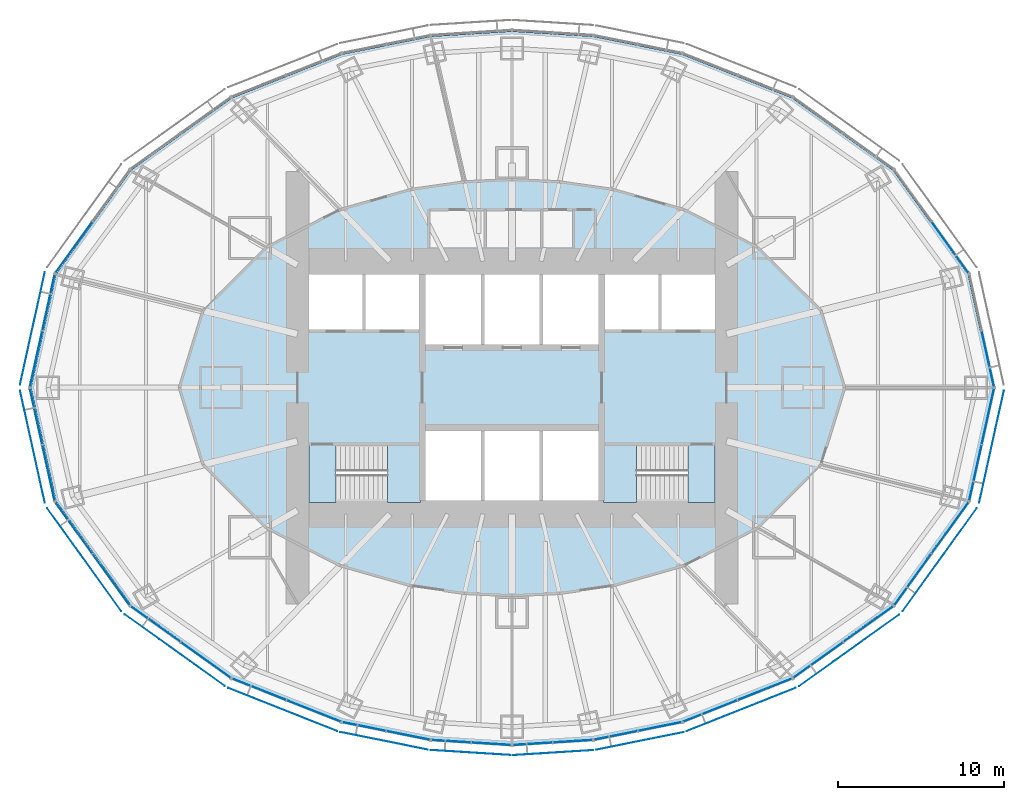
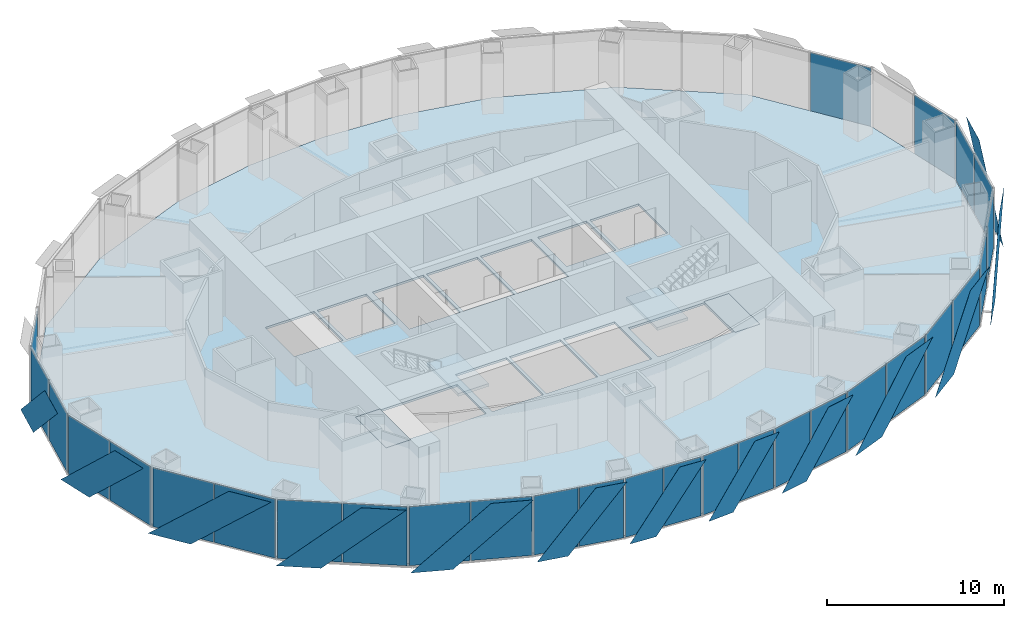
# One storey, part 9 of 18: 42 plates, 5 slabs, 18 elements without a shape of their own.
"""IFC4 building model written with IfcOpenShell, lengths in metres."""

from ifc_helpers import new_model, si_unit, direction, frame, origin, origin_2d, place, context, subcontext, project, spatial, polyline, rectangle, outline, extrude, material, layer, layer_set, type_object, element, aggregate, save


model = new_model("IFC4")

# Units and contexts
model_context = context("Model", 3, precision=1e-05, world=origin(), true_north=direction((0.0, 1.0)))
body_context = subcontext(model_context, "Body", "Model", "MODEL_VIEW")
ifc_project = project(units=[si_unit("LENGTHUNIT", "METRE"), si_unit("AREAUNIT", "SQUARE_METRE"), si_unit("VOLUMEUNIT", "CUBIC_METRE"), si_unit("PLANEANGLEUNIT", "RADIAN"), si_unit("MASSUNIT", "GRAM", prefix="KILO")], contexts=[model_context])

# Site, building, storey
site_placement = place(None, origin())
site = spatial("IfcSite", under=ifc_project, at=site_placement, CompositionType="ELEMENT")
building_placement = place(site_placement, origin())
building = spatial("IfcBuilding", under=site, at=building_placement, Name="Lantaw Convention Tower", CompositionType="ELEMENT")
storey_placement = place(building_placement, frame((0.0, 0.0, 130.0)))
storey = spatial("IfcBuildingStorey", under=building, at=storey_placement, Name="L30", CompositionType="ELEMENT", Elevation=130.0)

# Curtain wall, plate
ifc_material_1 = material(Name="Aluminium framed curtain wall", Category="aluminium")
curtain_wall_type = type_object("IfcCurtainWallType", Name="Office curtain wall low rise, pale aluminium", PredefinedType="USERDEFINED", material=ifc_material_1)
curtain_wall_1_placement = place(storey_placement, origin())
curtain_wall_1 = element("IfcCurtainWall", 1, at=curtain_wall_1_placement, inside=storey, type_object=curtain_wall_type, Name="Office curtain wall low rise, pale aluminium L30", ObjectType="UNITISED CURTAIN WALL", PredefinedType="USERDEFINED")
ifc_material_2 = material(Name="Clear insulating glass", Category="glass")
ifc_layer_1 = layer(ifc_material_2, 0.028076171875)
ifc_layer_set_1 = layer_set([ifc_layer_1], Name="CW-O1 panel 28")
plate_type_1 = type_object("IfcPlateType", Name="CW-O1 panel 28", PredefinedType="CURTAIN_PANEL", material=ifc_layer_set_1)
plate_1_placement = place(storey_placement, frame((28.618408203125, 1.729248046875, -0.0849609375), z_axis=(0.0, 0.0, 1.0), x_axis=(-0.215546166174, 0.9764936509, 0.0)))
plate_1 = element("IfcPlate", 2, at=plate_1_placement, type_object=plate_type_1, Name="CW-O1 panel 1.1", PredefinedType="CURTAIN_PANEL", context=body_context, shape_type="SweptSolid", body=[
    extrude(rectangle(XDim=3.41162109375, YDim=0.028076171875, at=origin_2d()), origin(), (0.0, 0.0, 1.0), 4.070068359375),
])
aggregate(curtain_wall_1, [plate_1])

curtain_wall_2_placement = place(storey_placement, origin())
curtain_wall_2 = element("IfcCurtainWall", 3, at=curtain_wall_2_placement, inside=storey, type_object=curtain_wall_type, Name="Office curtain wall low rise, pale aluminium L30", ObjectType="UNITISED CURTAIN WALL", PredefinedType="USERDEFINED")
plate_2_placement = place(storey_placement, frame((26.34814453125, 8.4345703125, -0.0849609375), z_axis=(0.0, 0.0, 1.0), x_axis=(-0.584512597221, 0.811384633629, 0.0)))
plate_2 = element("IfcPlate", 4, at=plate_2_placement, type_object=plate_type_1, Name="CW-O1 panel 1.1", PredefinedType="CURTAIN_PANEL", context=body_context, shape_type="SweptSolid", body=[
    extrude(rectangle(XDim=3.767333984375, YDim=0.028076171875, at=origin_2d()), origin(), (0.0, 0.0, 1.0), 4.070068359375),
])
aggregate(curtain_wall_2, [plate_2])

curtain_wall_3_placement = place(storey_placement, origin())
curtain_wall_3 = element("IfcCurtainWall", 5, at=curtain_wall_3_placement, inside=storey, type_object=curtain_wall_type, Name="Office curtain wall low rise, pale aluminium L30", ObjectType="UNITISED CURTAIN WALL", PredefinedType="USERDEFINED")
plate_3_placement = place(storey_placement, frame((-26.34814453125, 8.4345703125, -0.0849609375), z_axis=(0.0, 0.0, 1.0), x_axis=(-0.584512597221, -0.811384633629, 0.0)))
plate_3 = element("IfcPlate", 6, at=plate_3_placement, type_object=plate_type_1, Name="CW-O1 panel 2.1", PredefinedType="CURTAIN_PANEL", context=body_context, shape_type="SweptSolid", body=[
    extrude(rectangle(XDim=3.767333984375, YDim=0.028076171875, at=origin_2d()), origin(), (0.0, 0.0, 1.0), 4.070068359375),
])
aggregate(curtain_wall_3, [plate_3])

# Curtain wall, plates
curtain_wall_4_placement = place(storey_placement, origin())
curtain_wall_4 = element("IfcCurtainWall", 7, at=curtain_wall_4_placement, inside=storey, type_object=curtain_wall_type, Name="Office curtain wall low rise, pale aluminium L30", ObjectType="UNITISED CURTAIN WALL", PredefinedType="USERDEFINED")
plate_4_placement = place(storey_placement, frame((-27.868896484375, 5.1240234375, -0.0849609375), z_axis=(0.0, 0.0, 1.0), x_axis=(-0.215546166174, -0.9764936509, 0.0)))
plate_4 = element("IfcPlate", 8, at=plate_4_placement, type_object=plate_type_1, Name="CW-O1 panel 1.1", PredefinedType="CURTAIN_PANEL", context=body_context, shape_type="SweptSolid", body=[
    extrude(rectangle(XDim=3.41162109375, YDim=0.028076171875, at=origin_2d()), origin(), (0.0, 0.0, 1.0), 4.070068359375),
])
plate_5_placement = place(storey_placement, frame((-28.618408203125, 1.729248046875, -0.0849609375), z_axis=(0.0, 0.0, 1.0), x_axis=(-0.215546166174, -0.9764936509, 0.0)))
plate_5 = element("IfcPlate", 9, at=plate_5_placement, type_object=plate_type_1, Name="CW-O1 panel 2.1", PredefinedType="CURTAIN_PANEL", context=body_context, shape_type="SweptSolid", body=[
    extrude(rectangle(XDim=3.41162109375, YDim=0.028076171875, at=origin_2d()), origin(), (0.0, 0.0, 1.0), 4.070068359375),
])
aggregate(curtain_wall_4, [plate_4, plate_5])

curtain_wall_5_placement = place(storey_placement, origin())
curtain_wall_5 = element("IfcCurtainWall", 10, at=curtain_wall_5_placement, inside=storey, type_object=curtain_wall_type, Name="Office curtain wall low rise, pale aluminium L30", ObjectType="UNITISED CURTAIN WALL", PredefinedType="USERDEFINED")
plate_6_placement = place(storey_placement, frame((-28.618408203125, -1.729248046875, -0.0849609375), z_axis=(0.0, 0.0, 1.0), x_axis=(0.215546166174, -0.9764936509, 0.0)))
plate_6 = element("IfcPlate", 11, at=plate_6_placement, type_object=plate_type_1, Name="CW-O1 panel 1.1", PredefinedType="CURTAIN_PANEL", context=body_context, shape_type="SweptSolid", body=[
    extrude(rectangle(XDim=3.41162109375, YDim=0.028076171875, at=origin_2d()), origin(), (0.0, 0.0, 1.0), 4.070068359375),
])
plate_7_placement = place(storey_placement, frame((-27.868896484375, -5.1240234375, -0.0849609375), z_axis=(0.0, 0.0, 1.0), x_axis=(0.215546166174, -0.9764936509, 0.0)))
plate_7 = element("IfcPlate", 12, at=plate_7_placement, type_object=plate_type_1, Name="CW-O1 panel 2.1", PredefinedType="CURTAIN_PANEL", context=body_context, shape_type="SweptSolid", body=[
    extrude(rectangle(XDim=3.41162109375, YDim=0.028076171875, at=origin_2d()), origin(), (0.0, 0.0, 1.0), 4.070068359375),
])
aggregate(curtain_wall_5, [plate_6, plate_7])

curtain_wall_6_placement = place(storey_placement, origin())
curtain_wall_6 = element("IfcCurtainWall", 13, at=curtain_wall_6_placement, inside=storey, type_object=curtain_wall_type, Name="Office curtain wall low rise, pale aluminium L30", ObjectType="UNITISED CURTAIN WALL", PredefinedType="USERDEFINED")
plate_8_placement = place(storey_placement, frame((-26.34814453125, -8.4345703125, -0.0849609375), z_axis=(0.0, 0.0, 1.0), x_axis=(0.584512597221, -0.811384633629, 0.0)))
plate_8 = element("IfcPlate", 14, at=plate_8_placement, type_object=plate_type_1, Name="CW-O1 panel 1.1", PredefinedType="CURTAIN_PANEL", context=body_context, shape_type="SweptSolid", body=[
    extrude(rectangle(XDim=3.767333984375, YDim=0.028076171875, at=origin_2d()), origin(), (0.0, 0.0, 1.0), 4.070068359375),
])
plate_9_placement = place(storey_placement, frame((-24.108154296875, -11.5439453125, -0.0849609375), z_axis=(0.0, 0.0, 1.0), x_axis=(0.584512597221, -0.811384633629, 0.0)))
plate_9 = element("IfcPlate", 15, at=plate_9_placement, type_object=plate_type_1, Name="CW-O1 panel 2.1", PredefinedType="CURTAIN_PANEL", context=body_context, shape_type="SweptSolid", body=[
    extrude(rectangle(XDim=3.767333984375, YDim=0.028076171875, at=origin_2d()), origin(), (0.0, 0.0, 1.0), 4.070068359375),
])
aggregate(curtain_wall_6, [plate_8, plate_9])

curtain_wall_7_placement = place(storey_placement, origin())
curtain_wall_7 = element("IfcCurtainWall", 16, at=curtain_wall_7_placement, inside=storey, type_object=curtain_wall_type, Name="Office curtain wall low rise, pale aluminium L30", ObjectType="UNITISED CURTAIN WALL", PredefinedType="USERDEFINED")
plate_10_placement = place(storey_placement, frame((-21.43408203125, -14.2236328125, -0.0849609375), z_axis=(0.0, 0.0, 1.0), x_axis=(0.813208325995, -0.581972695693, 0.0)))
plate_10 = element("IfcPlate", 17, at=plate_10_placement, type_object=plate_type_1, Name="CW-O1 panel 1.1", PredefinedType="CURTAIN_PANEL", context=body_context, shape_type="SweptSolid", body=[
    extrude(rectangle(XDim=3.645263671875, YDim=0.028076171875, at=origin_2d()), origin(), (0.0, 0.0, 1.0), 4.070068359375),
])
plate_11_placement = place(storey_placement, frame((-18.416748046875, -16.383056640625, -0.0849609375), z_axis=(0.0, 0.0, 1.0), x_axis=(0.813208325995, -0.581972695693, 0.0)))
plate_11 = element("IfcPlate", 18, at=plate_11_placement, type_object=plate_type_1, Name="CW-O1 panel 2.1", PredefinedType="CURTAIN_PANEL", context=body_context, shape_type="SweptSolid", body=[
    extrude(rectangle(XDim=3.645263671875, YDim=0.028076171875, at=origin_2d()), origin(), (0.0, 0.0, 1.0), 4.070068359375),
])
aggregate(curtain_wall_7, [plate_10, plate_11])

curtain_wall_8_placement = place(storey_placement, origin())
curtain_wall_8 = element("IfcCurtainWall", 19, at=curtain_wall_8_placement, inside=storey, type_object=curtain_wall_type, Name="Office curtain wall low rise, pale aluminium L30", ObjectType="UNITISED CURTAIN WALL", PredefinedType="USERDEFINED")
plate_12_placement = place(storey_placement, frame((-15.208251953125, -18.145263671875, -0.0849609375), z_axis=(0.0, 0.0, 1.0), x_axis=(0.929547687544, -0.368701907483, 0.0)))
plate_12 = element("IfcPlate", 20, at=plate_12_placement, type_object=plate_type_1, Name="CW-O1 panel 1.1", PredefinedType="CURTAIN_PANEL", context=body_context, shape_type="SweptSolid", body=[
    extrude(rectangle(XDim=3.470703125, YDim=0.028076171875, at=origin_2d()), origin(), (0.0, 0.0, 1.0), 4.070068359375),
])
plate_13_placement = place(storey_placement, frame((-11.921630859375, -19.448974609375, -0.0849609375), z_axis=(0.0, 0.0, 1.0), x_axis=(0.929547687544, -0.368701907483, 0.0)))
plate_13 = element("IfcPlate", 21, at=plate_13_placement, type_object=plate_type_1, Name="CW-O1 panel 2.1", PredefinedType="CURTAIN_PANEL", context=body_context, shape_type="SweptSolid", body=[
    extrude(rectangle(XDim=3.470703125, YDim=0.028076171875, at=origin_2d()), origin(), (0.0, 0.0, 1.0), 4.070068359375),
])
aggregate(curtain_wall_8, [plate_12, plate_13])

curtain_wall_9_placement = place(storey_placement, origin())
curtain_wall_9 = element("IfcCurtainWall", 22, at=curtain_wall_9_placement, inside=storey, type_object=curtain_wall_type, Name="Office curtain wall low rise, pale aluminium L30", ObjectType="UNITISED CURTAIN WALL", PredefinedType="USERDEFINED")
plate_14_placement = place(storey_placement, frame((-8.893310546875, -20.3857421875, -0.0849609375), z_axis=(0.0, 0.0, 1.0), x_axis=(0.980301514912, -0.197506809659, 0.0)))
plate_14 = element("IfcPlate", 23, at=plate_14_placement, type_object=plate_type_1, Name="CW-O1 panel 1.1", PredefinedType="CURTAIN_PANEL", context=body_context, shape_type="SweptSolid", body=[
    extrude(rectangle(XDim=2.634033203125, YDim=0.028076171875, at=origin_2d()), origin(), (0.0, 0.0, 1.0), 4.070068359375),
])
plate_15_placement = place(storey_placement, frame((-6.247314453125, -20.9189453125, -0.0849609375), z_axis=(0.0, 0.0, 1.0), x_axis=(0.980301514912, -0.197506809659, 0.0)))
plate_15 = element("IfcPlate", 24, at=plate_15_placement, type_object=plate_type_1, Name="CW-O1 panel 2.1", PredefinedType="CURTAIN_PANEL", context=body_context, shape_type="SweptSolid", body=[
    extrude(rectangle(XDim=2.634033203125, YDim=0.028076171875, at=origin_2d()), origin(), (0.0, 0.0, 1.0), 4.070068359375),
])
aggregate(curtain_wall_9, [plate_14, plate_15])

curtain_wall_10_placement = place(storey_placement, origin())
curtain_wall_10 = element("IfcCurtainWall", 25, at=curtain_wall_10_placement, inside=storey, type_object=curtain_wall_type, Name="Office curtain wall low rise, pale aluminium L30", ObjectType="UNITISED CURTAIN WALL", PredefinedType="USERDEFINED")
plate_16_placement = place(storey_placement, frame((-3.653076171875, -21.269775390625, -0.0849609375), z_axis=(0.0, 0.0, 1.0), x_axis=(0.998022035978, -0.062865059466, 0.0)))
plate_16 = element("IfcPlate", 26, at=plate_16_placement, type_object=plate_type_1, Name="CW-O1 panel 1.1", PredefinedType="CURTAIN_PANEL", context=body_context, shape_type="SweptSolid", body=[
    extrude(rectangle(XDim=2.353515625, YDim=0.028076171875, at=origin_2d()), origin(), (0.0, 0.0, 1.0), 4.070068359375),
])
plate_17_placement = place(storey_placement, frame((-1.2392578125, -21.421875, -0.0849609375), z_axis=(0.0, 0.0, 1.0), x_axis=(0.998022035978, -0.062865059466, 0.0)))
plate_17 = element("IfcPlate", 27, at=plate_17_placement, type_object=plate_type_1, Name="CW-O1 panel 2.1", PredefinedType="CURTAIN_PANEL", context=body_context, shape_type="SweptSolid", body=[
    extrude(rectangle(XDim=2.353515625, YDim=0.028076171875, at=origin_2d()), origin(), (0.0, 0.0, 1.0), 4.070068359375),
])
aggregate(curtain_wall_10, [plate_16, plate_17])

curtain_wall_11_placement = place(storey_placement, origin())
curtain_wall_11 = element("IfcCurtainWall", 28, at=curtain_wall_11_placement, inside=storey, type_object=curtain_wall_type, Name="Office curtain wall low rise, pale aluminium L30", ObjectType="UNITISED CURTAIN WALL", PredefinedType="USERDEFINED")
plate_18_placement = place(storey_placement, frame((1.2392578125, -21.421875, -0.0849609375), z_axis=(0.0, 0.0, 1.0), x_axis=(0.998022035978, 0.062865059466, 0.0)))
plate_18 = element("IfcPlate", 29, at=plate_18_placement, type_object=plate_type_1, Name="CW-O1 panel 1.1", PredefinedType="CURTAIN_PANEL", context=body_context, shape_type="SweptSolid", body=[
    extrude(rectangle(XDim=2.353515625, YDim=0.028076171875, at=origin_2d()), origin(), (0.0, 0.0, 1.0), 4.070068359375),
])
plate_19_placement = place(storey_placement, frame((3.653076171875, -21.269775390625, -0.0849609375), z_axis=(0.0, 0.0, 1.0), x_axis=(0.998022035978, 0.062865059466, 0.0)))
plate_19 = element("IfcPlate", 30, at=plate_19_placement, type_object=plate_type_1, Name="CW-O1 panel 2.1", PredefinedType="CURTAIN_PANEL", context=body_context, shape_type="SweptSolid", body=[
    extrude(rectangle(XDim=2.353515625, YDim=0.028076171875, at=origin_2d()), origin(), (0.0, 0.0, 1.0), 4.070068359375),
])
aggregate(curtain_wall_11, [plate_18, plate_19])

curtain_wall_12_placement = place(storey_placement, origin())
curtain_wall_12 = element("IfcCurtainWall", 31, at=curtain_wall_12_placement, inside=storey, type_object=curtain_wall_type, Name="Office curtain wall low rise, pale aluminium L30", ObjectType="UNITISED CURTAIN WALL", PredefinedType="USERDEFINED")
plate_20_placement = place(storey_placement, frame((6.247314453125, -20.9189453125, -0.0849609375), z_axis=(0.0, 0.0, 1.0), x_axis=(0.980301514912, 0.197506809659, 0.0)))
plate_20 = element("IfcPlate", 32, at=plate_20_placement, type_object=plate_type_1, Name="CW-O1 panel 1.1", PredefinedType="CURTAIN_PANEL", context=body_context, shape_type="SweptSolid", body=[
    extrude(rectangle(XDim=2.634033203125, YDim=0.028076171875, at=origin_2d()), origin(), (0.0, 0.0, 1.0), 4.070068359375),
])
plate_21_placement = place(storey_placement, frame((8.893310546875, -20.3857421875, -0.0849609375), z_axis=(0.0, 0.0, 1.0), x_axis=(0.980301514912, 0.197506809659, 0.0)))
plate_21 = element("IfcPlate", 33, at=plate_21_placement, type_object=plate_type_1, Name="CW-O1 panel 2.1", PredefinedType="CURTAIN_PANEL", context=body_context, shape_type="SweptSolid", body=[
    extrude(rectangle(XDim=2.634033203125, YDim=0.028076171875, at=origin_2d()), origin(), (0.0, 0.0, 1.0), 4.070068359375),
])
aggregate(curtain_wall_12, [plate_20, plate_21])

curtain_wall_13_placement = place(storey_placement, origin())
curtain_wall_13 = element("IfcCurtainWall", 34, at=curtain_wall_13_placement, inside=storey, type_object=curtain_wall_type, Name="Office curtain wall low rise, pale aluminium L30", ObjectType="UNITISED CURTAIN WALL", PredefinedType="USERDEFINED")
plate_22_placement = place(storey_placement, frame((11.921630859375, -19.448974609375, -0.0849609375), z_axis=(0.0, 0.0, 1.0), x_axis=(0.929547687544, 0.368701907483, 0.0)))
plate_22 = element("IfcPlate", 35, at=plate_22_placement, type_object=plate_type_1, Name="CW-O1 panel 1.1", PredefinedType="CURTAIN_PANEL", context=body_context, shape_type="SweptSolid", body=[
    extrude(rectangle(XDim=3.470703125, YDim=0.028076171875, at=origin_2d()), origin(), (0.0, 0.0, 1.0), 4.070068359375),
])
plate_23_placement = place(storey_placement, frame((15.208251953125, -18.145263671875, -0.0849609375), z_axis=(0.0, 0.0, 1.0), x_axis=(0.929547687544, 0.368701907483, 0.0)))
plate_23 = element("IfcPlate", 36, at=plate_23_placement, type_object=plate_type_1, Name="CW-O1 panel 2.1", PredefinedType="CURTAIN_PANEL", context=body_context, shape_type="SweptSolid", body=[
    extrude(rectangle(XDim=3.470703125, YDim=0.028076171875, at=origin_2d()), origin(), (0.0, 0.0, 1.0), 4.070068359375),
])
aggregate(curtain_wall_13, [plate_22, plate_23])

curtain_wall_14_placement = place(storey_placement, origin())
curtain_wall_14 = element("IfcCurtainWall", 37, at=curtain_wall_14_placement, inside=storey, type_object=curtain_wall_type, Name="Office curtain wall low rise, pale aluminium L30", ObjectType="UNITISED CURTAIN WALL", PredefinedType="USERDEFINED")
plate_24_placement = place(storey_placement, frame((18.416748046875, -16.383056640625, -0.0849609375), z_axis=(0.0, 0.0, 1.0), x_axis=(0.813208325995, 0.581972695693, 0.0)))
plate_24 = element("IfcPlate", 38, at=plate_24_placement, type_object=plate_type_1, Name="CW-O1 panel 1.1", PredefinedType="CURTAIN_PANEL", context=body_context, shape_type="SweptSolid", body=[
    extrude(rectangle(XDim=3.645263671875, YDim=0.028076171875, at=origin_2d()), origin(), (0.0, 0.0, 1.0), 4.070068359375),
])
plate_25_placement = place(storey_placement, frame((21.43408203125, -14.2236328125, -0.0849609375), z_axis=(0.0, 0.0, 1.0), x_axis=(0.813208325995, 0.581972695693, 0.0)))
plate_25 = element("IfcPlate", 39, at=plate_25_placement, type_object=plate_type_1, Name="CW-O1 panel 2.1", PredefinedType="CURTAIN_PANEL", context=body_context, shape_type="SweptSolid", body=[
    extrude(rectangle(XDim=3.645263671875, YDim=0.028076171875, at=origin_2d()), origin(), (0.0, 0.0, 1.0), 4.070068359375),
])
aggregate(curtain_wall_14, [plate_24, plate_25])

curtain_wall_15_placement = place(storey_placement, origin())
curtain_wall_15 = element("IfcCurtainWall", 40, at=curtain_wall_15_placement, inside=storey, type_object=curtain_wall_type, Name="Office curtain wall low rise, pale aluminium L30", ObjectType="UNITISED CURTAIN WALL", PredefinedType="USERDEFINED")
plate_26_placement = place(storey_placement, frame((24.108154296875, -11.5439453125, -0.0849609375), z_axis=(0.0, 0.0, 1.0), x_axis=(0.584512597221, 0.811384633629, 0.0)))
plate_26 = element("IfcPlate", 41, at=plate_26_placement, type_object=plate_type_1, Name="CW-O1 panel 1.1", PredefinedType="CURTAIN_PANEL", context=body_context, shape_type="SweptSolid", body=[
    extrude(rectangle(XDim=3.767333984375, YDim=0.028076171875, at=origin_2d()), origin(), (0.0, 0.0, 1.0), 4.070068359375),
])
plate_27_placement = place(storey_placement, frame((26.34814453125, -8.4345703125, -0.0849609375), z_axis=(0.0, 0.0, 1.0), x_axis=(0.584512597221, 0.811384633629, 0.0)))
plate_27 = element("IfcPlate", 42, at=plate_27_placement, type_object=plate_type_1, Name="CW-O1 panel 2.1", PredefinedType="CURTAIN_PANEL", context=body_context, shape_type="SweptSolid", body=[
    extrude(rectangle(XDim=3.767333984375, YDim=0.028076171875, at=origin_2d()), origin(), (0.0, 0.0, 1.0), 4.070068359375),
])
aggregate(curtain_wall_15, [plate_26, plate_27])

curtain_wall_16_placement = place(storey_placement, origin())
curtain_wall_16 = element("IfcCurtainWall", 43, at=curtain_wall_16_placement, inside=storey, type_object=curtain_wall_type, Name="Office curtain wall low rise, pale aluminium L30", ObjectType="UNITISED CURTAIN WALL", PredefinedType="USERDEFINED")
plate_28_placement = place(storey_placement, frame((27.868896484375, -5.1240234375, -0.0849609375), z_axis=(0.0, 0.0, 1.0), x_axis=(0.215546166174, 0.9764936509, 0.0)))
plate_28 = element("IfcPlate", 44, at=plate_28_placement, type_object=plate_type_1, Name="CW-O1 panel 1.1", PredefinedType="CURTAIN_PANEL", context=body_context, shape_type="SweptSolid", body=[
    extrude(rectangle(XDim=3.41162109375, YDim=0.028076171875, at=origin_2d()), origin(), (0.0, 0.0, 1.0), 4.070068359375),
])
plate_29_placement = place(storey_placement, frame((28.618408203125, -1.729248046875, -0.0849609375), z_axis=(0.0, 0.0, 1.0), x_axis=(0.215546166174, 0.9764936509, 0.0)))
plate_29 = element("IfcPlate", 45, at=plate_29_placement, type_object=plate_type_1, Name="CW-O1 panel 2.1", PredefinedType="CURTAIN_PANEL", context=body_context, shape_type="SweptSolid", body=[
    extrude(rectangle(XDim=3.41162109375, YDim=0.028076171875, at=origin_2d()), origin(), (0.0, 0.0, 1.0), 4.070068359375),
])
aggregate(curtain_wall_16, [plate_28, plate_29])

# Slab
ifc_material_3 = material(Name="Concrete C35/45", Category="concrete")
ifc_layer_2 = layer(ifc_material_3, 0.14990234375)
ifc_layer_set_2 = layer_set([ifc_layer_2], Name="Floor slab 150")
slab_type_1 = type_object("IfcSlabType", Name="Floor slab 150", PredefinedType="FLOOR", material=ifc_layer_set_2)
slab_1_placement = place(storey_placement, frame((0.0, 0.0, -0.14990234375)))
element("IfcSlab", 46, at=slab_1_placement, inside=storey, type_object=slab_type_1, Name="L30 floor slab", PredefinedType="FLOOR", context=body_context, shape_type="SweptSolid", body=[
    extrude(outline(polyline([(27.417236328125, -6.822021484375), (28.923095703125, 0.0), (27.417236328125, 6.822021484375), (22.915283203125, 13.0712890625), (16.845458984375, 17.415283203125), (10.2265625, 20.04052734375), (4.8828125, 21.1171875), (0.0, 21.4248046875), (-4.8828125, 21.1171875), (-10.2265625, 20.04052734375), (-16.845458984375, 17.415283203125), (-22.915283203125, 13.0712890625), (-27.417236328125, 6.822021484375), (-28.923095703125, 0.0), (-27.417236328125, -6.822021484375), (-22.915283203125, -13.0712890625), (-16.845458984375, -17.415283203125), (-10.2265625, -20.04052734375), (-4.8828125, -21.1171875), (0.0, -21.4248046875), (4.8828125, -21.1171875), (10.2265625, -20.04052734375), (16.845458984375, -17.415283203125), (22.915283203125, -13.0712890625), (27.417236328125, -6.822021484375)]), holes=[polyline([(-5.60009765625, -3.5), (-12.199951171875, -3.5), (-12.199951171875, -6.800048828125), (-5.60009765625, -6.800048828125), (-5.60009765625, -3.5)]), polyline([(-1.86669921875, -6.800048828125), (-1.86669921875, -2.60009765625), (-5.199951171875, -2.60009765625), (-5.199951171875, -6.800048828125), (-1.86669921875, -6.800048828125)]), polyline([(-1.86669921875, 2.60009765625), (-1.86669921875, 6.800048828125), (-5.199951171875, 6.800048828125), (-5.199951171875, 2.60009765625), (-1.86669921875, 2.60009765625)]), polyline([(1.666748046875, 6.800048828125), (-1.666748046875, 6.800048828125), (-1.666748046875, 2.60009765625), (1.666748046875, 2.60009765625), (1.666748046875, 6.800048828125)]), polyline([(-9.0, 3.5), (-9.0, 6.800048828125), (-12.199951171875, 6.800048828125), (-12.199951171875, 3.5), (-9.0, 3.5)]), polyline([(-5.60009765625, 3.5), (-5.60009765625, 6.800048828125), (-8.800048828125, 6.800048828125), (-8.800048828125, 3.5), (-5.60009765625, 3.5)]), polyline([(12.199951171875, -3.5), (5.60009765625, -3.5), (5.60009765625, -6.800048828125), (12.199951171875, -6.800048828125), (12.199951171875, -3.5)]), polyline([(1.666748046875, -6.800048828125), (1.666748046875, -2.60009765625), (-1.666748046875, -2.60009765625), (-1.666748046875, -6.800048828125), (1.666748046875, -6.800048828125)]), polyline([(5.199951171875, -6.800048828125), (5.199951171875, -2.60009765625), (1.86669921875, -2.60009765625), (1.86669921875, -6.800048828125), (5.199951171875, -6.800048828125)]), polyline([(5.199951171875, 6.800048828125), (1.86669921875, 6.800048828125), (1.86669921875, 2.60009765625), (5.199951171875, 2.60009765625), (5.199951171875, 6.800048828125)]), polyline([(8.800048828125, 3.5), (8.800048828125, 6.800048828125), (5.60009765625, 6.800048828125), (5.60009765625, 3.5), (8.800048828125, 3.5)]), polyline([(12.199951171875, 3.5), (12.199951171875, 6.800048828125), (9.0, 6.800048828125), (9.0, 3.5), (12.199951171875, 3.5)])]), origin(), (0.0, 0.0, 1.0), 0.14990234375),
])

# Plates
ifc_material_4 = material(Name="Perforated aluminium sheet, pale silver finish", Category="aluminium")
ifc_layer_3 = layer(ifc_material_4, 0.006103515625)
ifc_layer_set_3 = layer_set([ifc_layer_3], Name="Perforated aluminium solar SCREEN panel")
plate_type_2 = type_object("IfcPlateType", Name="Perforated aluminium solar SCREEN panel", PredefinedType="SHEET", material=ifc_layer_set_3)
plate_30_placement = place(storey_placement, frame((-28.08984375, 6.93505859375, -0.175048828125), z_axis=(0.976497812463, -0.215527309509, 3.332717e-05), x_axis=(-0.215527309629, -0.976497813005, -1.665e-09)))
element("IfcPlate", 47, at=plate_30_placement, inside=storey, type_object=plate_type_2, Name="Solar SCREEN panel", PredefinedType="SHEET", context=body_context, shape_type="SweptSolid", body=[
    extrude(outline(polyline([(0.0, 0.0), (2.386131748388921, 0.0), (6.918240176095255, -4.340087904553372), (4.532055808734257, -4.3400878966079945), (0.0, 0.0)])), origin(), (0.0, 0.0, -1.0), 0.006103515625),
])
plate_31_placement = place(storey_placement, frame((-29.5810546875, -0.179443359375, -0.175048828125), z_axis=(-0.976497812463, -0.215527309509, 3.332717e-05), x_axis=(0.215527309629, -0.976497813005, 1.665e-09)))
element("IfcPlate", 48, at=plate_31_placement, inside=storey, type_object=plate_type_2, Name="Solar SCREEN panel", PredefinedType="SHEET", context=body_context, shape_type="SweptSolid", body=[
    extrude(outline(polyline([(0.0, 0.0), (2.3861843673609986, 3.3881317890172014e-21), (6.918240190546627, 4.340087881517419), (4.532108442157707, 4.340087889462621), (0.0, 0.0)])), origin(), (0.0, 0.0, -1.0), 0.006103515625),
])
plate_32_placement = place(storey_placement, frame((-27.94970703125, -7.248046875, -0.175048828125), z_axis=(-0.81139512159, -0.584498037099, 3.5886784e-05), x_axis=(0.584498037475, -0.811395122112, -9.74e-10)))
element("IfcPlate", 49, at=plate_32_placement, inside=storey, type_object=plate_type_2, Name="Solar SCREEN panel", PredefinedType="SHEET", context=body_context, shape_type="SweptSolid", body=[
    extrude(outline(polyline([(0.0, 0.0), (2.628222178575422, -6.776263578034403e-21), (7.629778257969264, 4.340087900852944), (5.001754173906077, 4.340087895732103), (0.0, 0.0)])), origin(), (0.0, 0.0, -1.0), 0.006103515625),
])
plate_33_placement = place(storey_placement, frame((-23.281005859375, -13.64697265625, -0.175048828125), z_axis=(-0.582000183937, -0.813188653244, 1.1537145e-05), x_axis=(0.813188653298, -0.582000183975, 0.0)))
element("IfcPlate", 50, at=plate_33_placement, inside=storey, type_object=plate_type_2, Name="Solar SCREEN panel", PredefinedType="SHEET", context=body_context, shape_type="SweptSolid", body=[
    extrude(outline(polyline([(0.0, 0.0), (2.5450183911586484, 0.0), (7.385531276904658, 4.340087890913846), (4.840512885746009, 4.340087890913846), (0.0, 0.0)])), origin(), (0.0, 0.0, -1.0), 0.006103515625),
])
plate_34_placement = place(storey_placement, frame((-17.05859375, -18.063232421875, -0.175048828125), z_axis=(0.368708915367, 0.929544907797, 1.086705e-05), x_axis=(0.929544907851, -0.368708915389, 7.1e-10)))
element("IfcPlate", 51, at=plate_34_placement, inside=storey, type_object=plate_type_2, Name="Solar SCREEN panel", PredefinedType="SHEET", context=body_context, shape_type="SweptSolid", body=[
    extrude(outline(polyline([(0.0, 0.0), (2.4263803793049097, -1.6940658945086007e-21), (7.036549629566982, -4.340087885886879), (4.61003232741235, -4.340087889331358), (0.0, 0.0)])), origin(), (0.0, 0.0, -1.0), 0.006103515625),
])
plate_35_placement = place(storey_placement, frame((-10.318603515625, -20.716796875, -0.175048828125), z_axis=(-0.197556725442, -0.980291455983, 3.9483498e-05), x_axis=(0.980291456747, -0.197556725596, 0.0)))
element("IfcPlate", 52, at=plate_35_placement, inside=storey, type_object=plate_type_2, Name="Solar SCREEN panel", PredefinedType="SHEET", context=body_context, shape_type="SweptSolid", body=[
    extrude(outline(polyline([(0.0, 0.0), (1.8574075788555457, 3.3881317890172014e-21), (5.362987026845185, 4.340087894007983), (3.505579447989639, 4.340087894007983), (0.0, 0.0)])), origin(), (0.0, 0.0, -1.0), 0.006103515625),
])
plate_36_placement = place(storey_placement, frame((-4.880615234375, -21.7998046875, -0.175048828125), z_axis=(-0.062838799866, -0.998023689713, 1.755059e-06), x_axis=(0.998023689715, -0.062838799866, -8e-12)))
element("IfcPlate", 53, at=plate_36_placement, inside=storey, type_object=plate_type_2, Name="Solar SCREEN panel", PredefinedType="SHEET", context=body_context, shape_type="SweptSolid", body=[
    extrude(outline(polyline([(0.0, 0.0), (1.6666243269452135, 2.6469779601696886e-23), (4.802214797186689, 4.340087890670476), (3.135346812114104, 4.340087890643548), (0.0, 0.0)])), origin(), (0.0, 0.0, -1.0), 0.006103515625),
])
plate_37_placement = place(storey_placement, frame((0.087890625, -22.1015625, -0.175048828125), z_axis=(-0.062838799866, 0.998023689713, 1.755059e-06), x_axis=(0.998023689715, 0.062838799866, 8e-12)))
element("IfcPlate", 54, at=plate_37_placement, inside=storey, type_object=plate_type_2, Name="Solar SCREEN panel", PredefinedType="SHEET", context=body_context, shape_type="SweptSolid", body=[
    extrude(outline(polyline([(0.0, 0.0), (1.6668679850725854, -5.293955920339377e-23), (4.802214797256801, -4.340087890592899), (3.1355904703115876, -4.340087890619822), (0.0, 0.0)])), origin(), (0.0, 0.0, -1.0), 0.006103515625),
])
plate_38_placement = place(storey_placement, frame((5.061279296875, -21.776123046875, -0.175048828125), z_axis=(-0.197556725442, 0.980291455983, 3.9483498e-05), x_axis=(0.980291456747, 0.197556725596, 0.0)))
element("IfcPlate", 55, at=plate_38_placement, inside=storey, type_object=plate_type_2, Name="Solar SCREEN panel", PredefinedType="SHEET", context=body_context, shape_type="SweptSolid", body=[
    extrude(outline(polyline([(0.0, 0.0), (1.8574075788555457, -3.3881317890172014e-21), (5.362987026845185, -4.340087894007983), (3.505579447989639, -4.340087894007983), (0.0, 0.0)])), origin(), (0.0, 0.0, -1.0), 0.006103515625),
])
plate_39_placement = place(storey_placement, frame((10.517822265625, -20.65771484375, -0.175048828125), z_axis=(0.368708915367, -0.929544907797, 1.086705e-05), x_axis=(0.929544907851, 0.368708915389, -7.1e-10)))
element("IfcPlate", 56, at=plate_39_placement, inside=storey, type_object=plate_type_2, Name="Solar SCREEN panel", PredefinedType="SHEET", context=body_context, shape_type="SweptSolid", body=[
    extrude(outline(polyline([(0.0, 0.0), (2.426517302154632, -1.6940658945086007e-21), (7.036549623406159, 4.340087895875372), (4.610169244101249, 4.340087892431086), (0.0, 0.0)])), origin(), (0.0, 0.0, -1.0), 0.006103515625),
])
plate_40_placement = place(storey_placement, frame((17.275146484375, -17.9453125, -0.175048828125), z_axis=(-0.582000183937, 0.813188653244, 1.1537145e-05), x_axis=(0.813188653298, 0.582000183975, 0.0)))
element("IfcPlate", 57, at=plate_40_placement, inside=storey, type_object=plate_type_2, Name="Solar SCREEN panel", PredefinedType="SHEET", context=body_context, shape_type="SweptSolid", body=[
    extrude(outline(polyline([(0.0, 0.0), (2.5450183911586484, 0.0), (7.385531276904658, -4.340087890913846), (4.840512885746009, -4.340087890913846), (0.0, 0.0)])), origin(), (0.0, 0.0, -1.0), 0.006103515625),
])
plate_41_placement = place(storey_placement, frame((23.489990234375, -13.438720703125, -0.175048828125), z_axis=(-0.81139512159, 0.584498037099, 3.5886784e-05), x_axis=(0.584498037475, 0.811395122112, 9.74e-10)))
element("IfcPlate", 58, at=plate_41_placement, inside=storey, type_object=plate_type_2, Name="Solar SCREEN panel", PredefinedType="SHEET", context=body_context, shape_type="SweptSolid", body=[
    extrude(outline(polyline([(0.0, 0.0), (2.6280240840631874, -6.776263578034403e-21), (7.6297782664261495, -4.340087885985926), (5.0015560878507275, -4.340087891107152), (0.0, 0.0)])), origin(), (0.0, 0.0, -1.0), 0.006103515625),
])
plate_42_placement = place(storey_placement, frame((28.08984375, -6.93505859375, -0.175048828125), z_axis=(-0.976497812463, 0.215527309509, 3.332717e-05), x_axis=(0.215527309629, 0.976497813005, -1.665e-09)))
element("IfcPlate", 59, at=plate_42_placement, inside=storey, type_object=plate_type_2, Name="Solar SCREEN panel", PredefinedType="SHEET", context=body_context, shape_type="SweptSolid", body=[
    extrude(outline(polyline([(0.0, 0.0), (2.386131748388921, 0.0), (6.918240176095255, -4.340087904553372), (4.532055808734257, -4.3400878966079945), (0.0, 0.0)])), origin(), (0.0, 0.0, -1.0), 0.006103515625),
])

# Stair, slabs
stair_type = type_object("IfcStairType", Name="Exit stair 1500 riser 175 in 2 flights", PredefinedType="HALF_TURN_STAIR", material=ifc_material_3)
stair_1_placement = place(storey_placement, origin())
stair_1 = element("IfcStair", 60, at=stair_1_placement, inside=storey, type_object=stair_type, Name="Exit stair S1 L30", PredefinedType="HALF_TURN_STAIR")
ifc_layer_4 = layer(ifc_material_3, 0.199951171875)
ifc_layer_set_4 = layer_set([ifc_layer_4], Name="Stair landing 200")
slab_type_2 = type_object("IfcSlabType", Name="Stair landing 200", PredefinedType="LANDING", material=ifc_layer_set_4)
slab_2_placement = place(storey_placement, frame((0.0, 0.0, -0.199951171875)))
slab_2 = element("IfcSlab", 61, at=slab_2_placement, type_object=slab_type_2, Name="S1 landing 1", PredefinedType="LANDING", context=body_context, shape_type="SweptSolid", body=[
    extrude(outline(polyline([(-12.199951171875, -6.89990234375), (-10.580078125, -6.89990234375), (-10.580078125, -3.39990234375), (-12.199951171875, -3.39990234375), (-12.199951171875, -6.89990234375)])), origin(), (0.0, 0.0, 1.0), 0.199951171875),
])
slab_3_placement = place(storey_placement, frame((0.0, 0.0, 1.89990234375)))
slab_3 = element("IfcSlab", 62, at=slab_3_placement, type_object=slab_type_2, Name="S1 landing 2", PredefinedType="LANDING", context=body_context, shape_type="SweptSolid", body=[
    extrude(outline(polyline([(-7.5, -6.89990234375), (-5.5, -6.89990234375), (-5.5, -3.39990234375), (-7.5, -3.39990234375), (-7.5, -6.89990234375)])), origin(), (0.0, 0.0, 1.0), 0.2001953125),
])
aggregate(stair_1, [slab_2, slab_3])

stair_2_placement = place(storey_placement, origin())
stair_2 = element("IfcStair", 63, at=stair_2_placement, inside=storey, type_object=stair_type, Name="Exit stair S2 L30", PredefinedType="HALF_TURN_STAIR")
slab_4_placement = place(storey_placement, frame((0.0, 0.0, -0.199951171875)))
slab_4 = element("IfcSlab", 64, at=slab_4_placement, type_object=slab_type_2, Name="S2 landing 1", PredefinedType="LANDING", context=body_context, shape_type="SweptSolid", body=[
    extrude(outline(polyline([(10.580078125, -6.89990234375), (12.199951171875, -6.89990234375), (12.199951171875, -3.39990234375), (10.580078125, -3.39990234375), (10.580078125, -6.89990234375)])), origin(), (0.0, 0.0, 1.0), 0.199951171875),
])
slab_5_placement = place(storey_placement, frame((0.0, 0.0, 1.89990234375)))
slab_5 = element("IfcSlab", 65, at=slab_5_placement, type_object=slab_type_2, Name="S2 landing 2", PredefinedType="LANDING", context=body_context, shape_type="SweptSolid", body=[
    extrude(outline(polyline([(5.5, -6.89990234375), (7.5, -6.89990234375), (7.5, -3.39990234375), (5.5, -3.39990234375), (5.5, -6.89990234375)])), origin(), (0.0, 0.0, 1.0), 0.2001953125),
])
aggregate(stair_2, [slab_4, slab_5])

save(model, "model.ifc")
